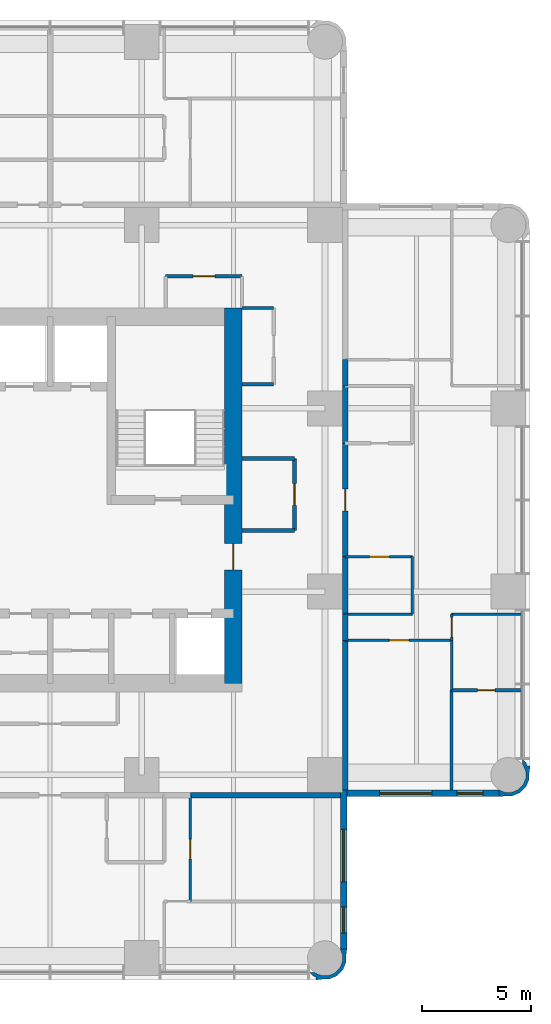
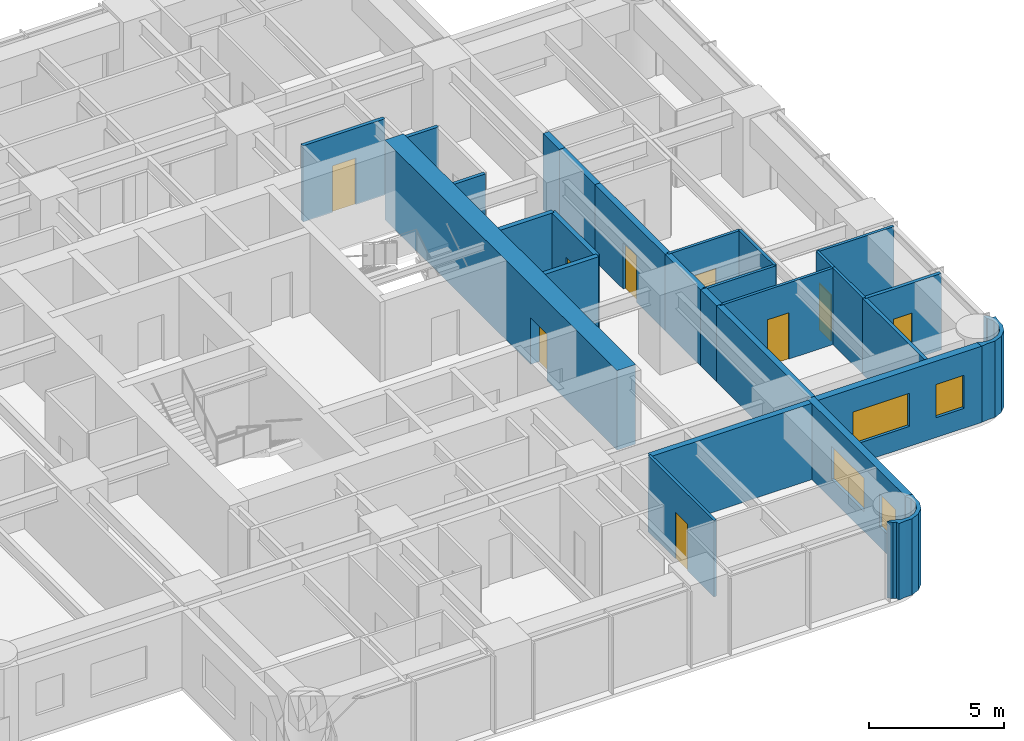
# One storey, part 6 of 9: 28 walls, 9 doors, 4 windows, 13 openings.
"""IFC4 building model written with IfcOpenShell, lengths in metres."""

from ifc_helpers import new_model, si_unit, direction, frame, frame_2d, origin, place, context, subcontext, project, spatial, polyline, rectangle, outline, extrude, material, layer, layer_set, type_object, element, fill, save


model = new_model("IFC4")

# Units and contexts
model_context = context("Model", 3, precision=1e-05, world=origin(), true_north=direction((0.0, 1.0)))
body_context = subcontext(model_context, "Body", "Model", "MODEL_VIEW")
ifc_project = project(units=[si_unit("LENGTHUNIT", "METRE"), si_unit("AREAUNIT", "SQUARE_METRE"), si_unit("VOLUMEUNIT", "CUBIC_METRE"), si_unit("PLANEANGLEUNIT", "RADIAN"), si_unit("MASSUNIT", "GRAM", prefix="KILO")], contexts=[model_context])

# Site, building, storey
site_placement = place(None, origin())
site = spatial("IfcSite", under=ifc_project, at=site_placement, CompositionType="ELEMENT")
building_placement = place(site_placement, origin())
building = spatial("IfcBuilding", under=site, at=building_placement, Name="Torre Alcanfor", CompositionType="ELEMENT")
storey_placement = place(building_placement, frame((0.0, 0.0, 254.10009765625)))
storey = spatial("IfcBuildingStorey", under=building, at=storey_placement, Name="L66", CompositionType="ELEMENT", Elevation=254.10009765625)

# Wall, opening, door
ifc_material_1 = material(Name="Concrete block masonry, hollow blocks NMX-C-404 9 MPa", Category="masonry")
ifc_layer_1 = layer(ifc_material_1, 0.25)
ifc_layer_set_1 = layer_set([ifc_layer_1], Name="Apartment entrance wall 250 EI 60")
wall_type_1 = type_object("IfcWallType", Name="Apartment entrance wall 250 EI 60", PredefinedType="PARTITIONING", material=ifc_layer_set_1)
wall_1_placement = place(storey_placement, frame((42.925048828125, 32.0, 0.0), z_axis=(0.0, 0.0, 1.0), x_axis=(0.0, -1.0, 0.0)))
wall_1 = element("IfcWall", 1, at=wall_1_placement, inside=storey, type_object=wall_type_1, Name="Partition L66-CORR / L66-EX-ZAG", PredefinedType="PARTITIONING", context=body_context, shape_type="SweptSolid", body=[
    extrude(rectangle(XDim=5.199951171875, YDim=0.25, at=frame_2d((2.60009765625, 0.0))), origin(), (0.0, 0.0, 1.0), 3.449951171875),
])
opening_1_placement = place(wall_1_placement, frame((2.10009765625, 0.0, 0.0)))
opening_1 = element("IfcOpeningElement", 2, at=opening_1_placement, cuts=wall_1, Name="Opening D-A1", PredefinedType="OPENING", context=body_context, shape_type="SweptSolid", body=[
    extrude(rectangle(XDim=1.0, YDim=2.10009765625, at=frame_2d((0.5, 1.050048828125))), frame((0.0, 0.135009765625, 0.0), z_axis=(0.0, -1.0, 0.0), x_axis=(1.0, 0.0, 0.0)), (0.0, 0.0, 1.0), 0.27001953125),
])
ifc_material_2 = material(Name="Galvanised steel sheet ASTM A653", Category="steel")
door_type_1 = type_object("IfcDoorType", Name="Apartment entrance door FD60 1000x2100", OperationType="SINGLE_SWING_LEFT", PredefinedType="DOOR", material=ifc_material_2)
door_1_placement = place(opening_1_placement, origin())
door_1 = element("IfcDoor", 3, at=door_1_placement, inside=storey, type_object=door_type_1, Name="Apartment entrance L66-EX", OperationType="SINGLE_SWING_LEFT", OverallHeight=2.10009765625, OverallWidth=1.0, PredefinedType="DOOR", context=body_context, shape_type="SweptSolid", body=[
    extrude(rectangle(XDim=1.0, YDim=2.10009765625, at=frame_2d((0.5, 1.050048828125))), frame((0.0, 0.02490234375, 0.0), z_axis=(0.0, -1.0, 0.0), x_axis=(1.0, 0.0, 0.0)), (0.0, 0.0, 1.0), 0.050048828125),
])
fill(opening_1, door_1)

# Walls
wall_2_placement = place(storey_placement, frame((42.925048828125, 34.62890625, 0.0), z_axis=(0.0, 0.0, 1.0), x_axis=(0.0, -1.0, 0.0)))
element("IfcWall", 4, at=wall_2_placement, inside=storey, type_object=wall_type_1, Name="Partition L66-CORR / L66-EX-BATH2", PredefinedType="PARTITIONING", context=body_context, shape_type="SweptSolid", body=[
    extrude(rectangle(XDim=2.62890625, YDim=0.25, at=frame_2d((1.314453125, 0.0))), origin(), (0.0, 0.0, 1.0), 3.449951171875),
])
wall_3_placement = place(storey_placement, frame((42.925048828125, 26.800048828125, 0.0), z_axis=(0.0, 0.0, 1.0), x_axis=(0.0, -1.0, 0.0)))
element("IfcWall", 5, at=wall_3_placement, inside=storey, type_object=wall_type_1, Name="Partition L66-CORR / L66-EX-KITCHEN", PredefinedType="PARTITIONING", context=body_context, shape_type="SweptSolid", body=[
    extrude(rectangle(XDim=2.629150390625, YDim=0.25, at=frame_2d((1.314453125, 0.0))), origin(), (0.0, 0.0, 1.0), 3.449951171875),
])
wall_4_placement = place(storey_placement, frame((42.925048828125, 24.1708984375, 0.0), z_axis=(0.0, 0.0, 1.0), x_axis=(0.0, -1.0, 0.0)))
element("IfcWall", 6, at=wall_4_placement, inside=storey, type_object=wall_type_1, Name="Partition L66-CORR / L66-EX-LIVING", PredefinedType="PARTITIONING", context=body_context, shape_type="SweptSolid", body=[
    extrude(rectangle(XDim=1.199951171875, YDim=0.25, at=frame_2d((0.60009765625, 0.0))), origin(), (0.0, 0.0, 1.0), 3.449951171875),
])
wall_5_placement = place(storey_placement, frame((42.925048828125, 35.8291015625, 0.0), z_axis=(0.0, 0.0, 1.0), x_axis=(0.0, -1.0, 0.0)))
element("IfcWall", 7, at=wall_5_placement, inside=storey, type_object=wall_type_1, Name="Partition L66-CORR / L66-EX-LIVING", PredefinedType="PARTITIONING", context=body_context, shape_type="SweptSolid", body=[
    extrude(rectangle(XDim=1.2001953125, YDim=0.25, at=frame_2d((0.60009765625, 0.0))), origin(), (0.0, 0.0, 1.0), 3.449951171875),
])
for number, where, z_axis, x_axis, name in (
    (8, (42.925048828125, 22.970947265625, 0.0), (0.0, 0.0, 1.0), (0.0, -1.0, 0.0), "Partition L66-CORR / L66-EX-BED3"),
    (9, (42.699951171875, 15.875, 0.0), (0.0, 0.0, 1.0), (-1.0, 0.0, 0.0), "Partition L66-CORR / L66-SX-BED2"),
):
    element("IfcWall", number, at=place(storey_placement, frame(where, z_axis=z_axis, x_axis=x_axis)), inside=storey, type_object=wall_type_1, Name=name, PredefinedType="PARTITIONING", context=body_context, shape_type="SweptSolid", body=[
        extrude(rectangle(XDim=6.870849609375, YDim=0.25, at=frame_2d((3.435546875, 0.0))), origin(), (0.0, 0.0, 1.0), 3.449951171875),
    ])

# Wall, opening, door
ifc_material_3 = material(Name="Gypsum board on steel studs", Category="steel")
ifc_layer_2 = layer(ifc_material_3, 0.1201171875)
ifc_layer_set_2 = layer_set([ifc_layer_2], Name="Apartment partition 120")
wall_type_2 = type_object("IfcWallType", Name="Apartment partition 120", PredefinedType="PARTITIONING", material=ifc_layer_set_2)
wall_6_placement = place(storey_placement, frame((42.925048828125, 26.800048828125, 0.0), z_axis=(0.0, 0.0, 1.0), x_axis=(1.0, 0.0, 0.0)))
wall_6 = element("IfcWall", 10, at=wall_6_placement, inside=storey, type_object=wall_type_2, Name="Partition L66-EX-ZAG / L66-EX-KITCHEN", PredefinedType="PARTITIONING", context=body_context, shape_type="SweptSolid", body=[
    extrude(rectangle(XDim=3.074951171875, YDim=0.1201171875, at=frame_2d((1.53759765625, 0.0))), origin(), (0.0, 0.0, 1.0), 3.449951171875),
])
opening_2_placement = place(wall_6_placement, frame((1.125, 0.0, 0.0)))
opening_2 = element("IfcOpeningElement", 11, at=opening_2_placement, cuts=wall_6, Name="Opening D-R1", PredefinedType="OPENING", context=body_context, shape_type="SweptSolid", body=[
    extrude(rectangle(XDim=0.89990234375, YDim=2.10009765625, at=frame_2d((0.449951171875, 1.050048828125))), frame((0.0, 0.070068359375, 0.0), z_axis=(0.0, -1.0, 0.0), x_axis=(1.0, 0.0, 0.0)), (0.0, 0.0, 1.0), 0.14013671875),
])
ifc_material_4 = material(Name="Timber", Category="wood")
door_type_2 = type_object("IfcDoorType", Name="Internal door 900x2100", OperationType="SINGLE_SWING_LEFT", PredefinedType="DOOR", material=ifc_material_4)
door_2_placement = place(opening_2_placement, frame((0.89990234375, 0.0, 0.0), z_axis=(0.0, 0.0, 1.0), x_axis=(-1.0, 0.0, 0.0)))
door_2 = element("IfcDoor", 12, at=door_2_placement, inside=storey, type_object=door_type_2, Name="Door L66-EX kitchen", OperationType="SINGLE_SWING_LEFT", OverallHeight=2.10009765625, OverallWidth=0.89990234375, PredefinedType="DOOR", context=body_context, shape_type="SweptSolid", body=[
    extrude(rectangle(XDim=0.89990234375, YDim=2.10009765625, at=frame_2d((0.449951171875, 1.050048828125))), frame((0.0, 0.025146484375, 0.0), z_axis=(0.0, -1.0, 0.0), x_axis=(1.0, 0.0, 0.0)), (0.0, 0.0, 1.0), 0.050048828125),
])
fill(opening_2, door_2)

# Walls
wall_7_placement = place(storey_placement, frame((42.925048828125, 24.1708984375, 0.0), z_axis=(0.0, 0.0, 1.0), x_axis=(1.0, 0.0, 0.0)))
element("IfcWall", 13, at=wall_7_placement, inside=storey, type_object=wall_type_2, Name="Partition L66-EX-KITCHEN / L66-EX-LIVING", PredefinedType="PARTITIONING", context=body_context, shape_type="SweptSolid", body=[
    extrude(rectangle(XDim=3.074951171875, YDim=0.1201171875, at=frame_2d((1.53759765625, 0.0))), origin(), (0.0, 0.0, 1.0), 3.449951171875),
])
wall_8_placement = place(storey_placement, frame((46.0, 24.1708984375, 0.0), z_axis=(0.0, 0.0, 1.0), x_axis=(0.0, 1.0, 0.0)))
element("IfcWall", 14, at=wall_8_placement, inside=storey, type_object=wall_type_2, Name="Partition L66-EX-KITCHEN / L66-EX-LIVING", PredefinedType="PARTITIONING", context=body_context, shape_type="SweptSolid", body=[
    extrude(rectangle(XDim=2.629150390625, YDim=0.1201171875, at=frame_2d((1.314453125, 0.0))), origin(), (0.0, 0.0, 1.0), 3.449951171875),
])

# Wall, opening, door
wall_9_placement = place(storey_placement, frame((47.800048828125, 22.970947265625, 0.0), z_axis=(0.0, 0.0, 1.0), x_axis=(-1.0, 0.0, 0.0)))
wall_9 = element("IfcWall", 15, at=wall_9_placement, inside=storey, type_object=wall_type_2, Name="Partition L66-EX-LIVING / L66-EX-BED3", PredefinedType="PARTITIONING", context=body_context, shape_type="SweptSolid", body=[
    extrude(rectangle(XDim=4.875, YDim=0.1201171875, at=frame_2d((2.4375, 0.0))), origin(), (0.0, 0.0, 1.0), 3.449951171875),
])
opening_3_placement = place(wall_9_placement, frame((1.949951171875, 0.0, 0.0)))
opening_3 = element("IfcOpeningElement", 16, at=opening_3_placement, cuts=wall_9, Name="Opening D-R1", PredefinedType="OPENING", context=body_context, shape_type="SweptSolid", body=[
    extrude(rectangle(XDim=0.89990234375, YDim=2.10009765625, at=frame_2d((0.449951171875, 1.050048828125))), frame((0.0, 0.070068359375, 0.0), z_axis=(0.0, -1.0, 0.0), x_axis=(1.0, 0.0, 0.0)), (0.0, 0.0, 1.0), 0.14013671875),
])
door_3_placement = place(opening_3_placement, origin())
door_3 = element("IfcDoor", 17, at=door_3_placement, inside=storey, type_object=door_type_2, Name="Door L66-EX bed3", OperationType="SINGLE_SWING_LEFT", OverallHeight=2.10009765625, OverallWidth=0.89990234375, PredefinedType="DOOR", context=body_context, shape_type="SweptSolid", body=[
    extrude(rectangle(XDim=0.89990234375, YDim=2.10009765625, at=frame_2d((0.449951171875, 1.050048828125))), frame((0.0, 0.02490234375, 0.0), z_axis=(0.0, -1.0, 0.0), x_axis=(1.0, 0.0, 0.0)), (0.0, 0.0, 1.0), 0.050048828125),
])
fill(opening_3, door_3)

# Wall
wall_10_placement = place(storey_placement, frame((51.050048828125, 24.1708984375, 0.0), z_axis=(0.0, 0.0, 1.0), x_axis=(-1.0, 0.0, 0.0)))
element("IfcWall", 18, at=wall_10_placement, inside=storey, type_object=wall_type_2, Name="Partition L66-EX-LIVING / L66-EX-BED1", PredefinedType="PARTITIONING", context=body_context, shape_type="SweptSolid", body=[
    extrude(rectangle(XDim=3.25, YDim=0.1201171875, at=frame_2d((1.625, 0.0))), origin(), (0.0, 0.0, 1.0), 3.449951171875),
])

# Wall, opening, door
wall_11_placement = place(storey_placement, frame((47.800048828125, 24.1708984375, 0.0), z_axis=(0.0, 0.0, 1.0), x_axis=(0.0, -1.0, 0.0)))
wall_11 = element("IfcWall", 19, at=wall_11_placement, inside=storey, type_object=wall_type_2, Name="Partition L66-EX-LIVING / L66-EX-BED1", PredefinedType="PARTITIONING", context=body_context, shape_type="SweptSolid", body=[
    extrude(rectangle(XDim=1.199951171875, YDim=0.1201171875, at=frame_2d((0.60009765625, 0.0))), origin(), (0.0, 0.0, 1.0), 3.449951171875),
])
opening_4_placement = place(wall_11_placement, frame((0.15087890625, 0.0, 0.0)))
opening_4 = element("IfcOpeningElement", 20, at=opening_4_placement, cuts=wall_11, Name="Opening D-R1", PredefinedType="OPENING", context=body_context, shape_type="SweptSolid", body=[
    extrude(rectangle(XDim=0.89990234375, YDim=2.10009765625, at=frame_2d((0.449951171875, 1.050048828125))), frame((0.0, 0.070068359375, 0.0), z_axis=(0.0, -1.0, 0.0), x_axis=(1.0, 0.0, 0.0)), (0.0, 0.0, 1.0), 0.14013671875),
])
door_4_placement = place(opening_4_placement, origin())
door_4 = element("IfcDoor", 21, at=door_4_placement, inside=storey, type_object=door_type_2, Name="Door L66-EX bed1", OperationType="SINGLE_SWING_LEFT", OverallHeight=2.10009765625, OverallWidth=0.89990234375, PredefinedType="DOOR", context=body_context, shape_type="SweptSolid", body=[
    extrude(rectangle(XDim=0.89990234375, YDim=2.10009765625, at=frame_2d((0.449951171875, 1.050048828125))), frame((0.0, 0.02490234375, 0.0), z_axis=(0.0, -1.0, 0.0), x_axis=(1.0, 0.0, 0.0)), (0.0, 0.0, 1.0), 0.050048828125),
])
fill(opening_4, door_4)

# Wall
wall_12_placement = place(storey_placement, frame((47.800048828125, 20.68603515625, 0.0), z_axis=(0.0, 0.0, 1.0), x_axis=(0.0, 1.0, 0.0)))
element("IfcWall", 22, at=wall_12_placement, inside=storey, type_object=wall_type_2, Name="Partition L66-EX-BED3 / L66-EX-BED1", PredefinedType="PARTITIONING", context=body_context, shape_type="SweptSolid", body=[
    extrude(rectangle(XDim=2.284912109375, YDim=0.1201171875, at=frame_2d((1.142578125, 0.0))), origin(), (0.0, 0.0, 1.0), 3.449951171875),
])

# Wall, opening, door
wall_13_placement = place(storey_placement, frame((35.8291015625, 15.875, 0.0), z_axis=(0.0, 0.0, 1.0), x_axis=(0.0, -1.0, 0.0)))
wall_13 = element("IfcWall", 23, at=wall_13_placement, inside=storey, type_object=wall_type_2, Name="Partition L66-SX-LIVING / L66-SX-BED2", PredefinedType="PARTITIONING", context=body_context, shape_type="SweptSolid", body=[
    extrude(rectangle(XDim=4.875, YDim=0.1201171875, at=frame_2d((2.4375, 0.0))), origin(), (0.0, 0.0, 1.0), 3.449951171875),
])
opening_5_placement = place(wall_13_placement, frame((2.02490234375, 0.0, 0.0)))
opening_5 = element("IfcOpeningElement", 24, at=opening_5_placement, cuts=wall_13, Name="Opening D-R1", PredefinedType="OPENING", context=body_context, shape_type="SweptSolid", body=[
    extrude(rectangle(XDim=0.89990234375, YDim=2.10009765625, at=frame_2d((0.449951171875, 1.050048828125))), frame((0.0, 0.070068359375, 0.0), z_axis=(0.0, -1.0, 0.0), x_axis=(1.0, 0.0, 0.0)), (0.0, 0.0, 1.0), 0.14013671875),
])
door_5_placement = place(opening_5_placement, origin())
door_5 = element("IfcDoor", 25, at=door_5_placement, inside=storey, type_object=door_type_2, Name="Door L66-SX bed2", OperationType="SINGLE_SWING_RIGHT", OverallHeight=2.10009765625, OverallWidth=0.89990234375, PredefinedType="DOOR", context=body_context, shape_type="SweptSolid", body=[
    extrude(rectangle(XDim=0.89990234375, YDim=2.10009765625, at=frame_2d((0.449951171875, 1.050048828125))), frame((0.0, 0.02490234375, 0.0), z_axis=(0.0, -1.0, 0.0), x_axis=(1.0, 0.0, 0.0)), (0.0, 0.0, 1.0), 0.050048828125),
])
fill(opening_5, door_5)

ifc_material_5 = material(Name="Concrete f'c 70 MPa", Category="concrete")
ifc_layer_3 = layer(ifc_material_5, 0.800048828125)
ifc_layer_set_3 = layer_set([ifc_layer_3], Name="Core wall 800 f'c70")
wall_type_3 = type_object("IfcWallType", Name="Core wall 800 f'c70", PredefinedType="SHEAR", material=ifc_layer_set_3)
wall_14_placement = place(storey_placement, frame((37.800048828125, 21.0, 0.0), z_axis=(0.0, 0.0, 1.0), x_axis=(0.0, 1.0, 0.0)))
wall_14 = element("IfcWall", 26, at=wall_14_placement, inside=storey, type_object=wall_type_3, Name="Core wall OUT-E L66", PredefinedType="SHEAR", context=body_context, shape_type="SweptSolid", body=[
    extrude(rectangle(XDim=17.199951171875, YDim=0.800048828125, at=frame_2d((8.60009765625, 0.0))), origin(), (0.0, 0.0, 1.0), 3.599853515625),
])
opening_6_placement = place(wall_14_placement, frame((5.199951171875, 0.0, 0.0)))
opening_6 = element("IfcOpeningElement", 27, at=opening_6_placement, cuts=wall_14, Name="Opening D-L1", PredefinedType="OPENING", context=body_context, shape_type="SweptSolid", body=[
    extrude(rectangle(XDim=1.199951171875, YDim=2.10009765625, at=frame_2d((0.60009765625, 1.050048828125))), frame((0.0, 0.409912109375, 0.0), z_axis=(0.0, -1.0, 0.0), x_axis=(1.0, 0.0, 0.0)), (0.0, 0.0, 1.0), 0.820068359375),
])
ifc_material_6 = material(Name="Galvanised steel sheet ASTM A653", Category="steel")
door_type_3 = type_object("IfcDoorType", Name="Lobby door FD120 1200x2100", OperationType="SINGLE_SWING_LEFT", PredefinedType="DOOR", material=ifc_material_6)
door_6_placement = place(opening_6_placement, origin())
door_6 = element("IfcDoor", 28, at=door_6_placement, inside=storey, type_object=door_type_3, Name="Lift lobby entrance door L66", OperationType="SINGLE_SWING_LEFT", OverallHeight=2.10009765625, OverallWidth=1.199951171875, PredefinedType="DOOR", context=body_context, shape_type="SweptSolid", body=[
    extrude(rectangle(XDim=1.199951171875, YDim=2.10009765625, at=frame_2d((0.60009765625, 1.050048828125))), frame((0.0, 0.02490234375, 0.0), z_axis=(0.0, -1.0, 0.0), x_axis=(1.0, 0.0, 0.0)), (0.0, 0.0, 1.0), 0.050048828125),
])
fill(opening_6, door_6)

# Wall, openings, windows
ifc_material_7 = material(Name="Limestone cladding", Category="masonry")
ifc_layer_4 = layer(ifc_material_7, 0.0400390625, Name="Facing")
ifc_material_8 = material(Name="Ventilated air cavity")
ifc_layer_5 = layer(ifc_material_8, 0.02001953125, ventilated=True, Name="Ventilated joint")
ifc_material_9 = material(Name="Mineral wool insulation", Category="insulation")
ifc_layer_6 = layer(ifc_material_9, 0.10009765625, Name="Insulation")
ifc_material_10 = material(Name="Concrete f'c 35 MPa", Category="concrete")
ifc_layer_7 = layer(ifc_material_10, 0.139892578125, Name="Backing")
ifc_layer_set_4 = layer_set([ifc_layer_4, ifc_layer_5, ifc_layer_6, ifc_layer_7], Name="External wall stone-clad 300")
wall_type_4 = type_object("IfcWallType", Name="External wall stone-clad 300", PredefinedType="SOLIDWALL", material=ifc_layer_set_4)
wall_15_placement = place(storey_placement, frame((42.85009765625, 8.800048828125, 0.0), z_axis=(0.0, 0.0, 1.0), x_axis=(0.0, 1.0, 0.0)))
wall_15 = element("IfcWall", 29, at=wall_15_placement, inside=storey, type_object=wall_type_4, Name="External wall L66 6", PredefinedType="SOLIDWALL", context=body_context, shape_type="SweptSolid", body=[
    extrude(rectangle(XDim=7.300048828125, YDim=0.300048828125, at=frame_2d((3.64990234375, 0.0))), origin(), (0.0, 0.0, 1.0), 3.449951171875),
])
opening_7_placement = place(wall_15_placement, frame((3.10009765625, 0.0, 0.89990234375)))
opening_7 = element("IfcOpeningElement", 30, at=opening_7_placement, cuts=wall_15, Name="Opening W1", PredefinedType="OPENING", context=body_context, shape_type="SweptSolid", body=[
    extrude(rectangle(XDim=2.39990234375, YDim=1.5, at=frame_2d((1.199951171875, 0.75))), frame((0.0, 0.159912109375, 0.0), z_axis=(0.0, -1.0, 0.0), x_axis=(1.0, 0.0, 0.0)), (0.0, 0.0, 1.0), 0.320068359375),
])
opening_8_placement = place(wall_15_placement, frame((0.75, 0.0, 0.89990234375)))
opening_8 = element("IfcOpeningElement", 31, at=opening_8_placement, cuts=wall_15, Name="Opening W4", PredefinedType="OPENING", context=body_context, shape_type="SweptSolid", body=[
    extrude(rectangle(XDim=1.199951171875, YDim=1.5, at=frame_2d((0.60009765625, 0.75))), frame((0.0, 0.159912109375, 0.0), z_axis=(0.0, -1.0, 0.0), x_axis=(1.0, 0.0, 0.0)), (0.0, 0.0, 1.0), 0.320068359375),
])
ifc_material_11 = material(Name="Aluminium frame with clear double glazing", Category="aluminium")
window_type_1 = type_object("IfcWindowType", Name="Window bedroom 1200x1500", PartitioningType="SINGLE_PANEL", PredefinedType="WINDOW", material=ifc_material_11)
window_1_placement = place(opening_8_placement, origin())
window_1 = element("IfcWindow", 32, at=window_1_placement, inside=storey, type_object=window_type_1, Name="Window W4 L66-S1", OverallHeight=1.5, OverallWidth=1.199951171875, PartitioningType="SINGLE_PANEL", PredefinedType="WINDOW", context=body_context, shape_type="SweptSolid", body=[
    extrude(rectangle(XDim=1.199951171875, YDim=1.5, at=frame_2d((0.60009765625, 0.75))), frame((0.0, 0.030029296875, 0.0), z_axis=(0.0, -1.0, 0.0), x_axis=(1.0, 0.0, 0.0)), (0.0, 0.0, 1.0), 0.06005859375),
])
fill(opening_8, window_1)
ifc_material_12 = material(Name="Aluminium frame with clear double glazing", Category="aluminium")
window_type_2 = type_object("IfcWindowType", Name="Window bedroom 2400x1500", PartitioningType="SINGLE_PANEL", PredefinedType="WINDOW", material=ifc_material_12)
window_2_placement = place(opening_7_placement, origin())
window_2 = element("IfcWindow", 33, at=window_2_placement, inside=storey, type_object=window_type_2, Name="Window W1 L66-S1", OverallHeight=1.5, OverallWidth=2.39990234375, PartitioningType="SINGLE_PANEL", PredefinedType="WINDOW", context=body_context, shape_type="SweptSolid", body=[
    extrude(rectangle(XDim=2.39990234375, YDim=1.5, at=frame_2d((1.199951171875, 0.75))), frame((0.0, 0.030029296875, 0.0), z_axis=(0.0, -1.0, 0.0), x_axis=(1.0, 0.0, 0.0)), (0.0, 0.0, 1.0), 0.06005859375),
])
fill(opening_7, window_2)

wall_16_placement = place(storey_placement, frame((43.0, 15.949951171875, 0.0), z_axis=(0.0, 0.0, 1.0), x_axis=(1.0, 0.0, 0.0)))
wall_16 = element("IfcWall", 34, at=wall_16_placement, inside=storey, type_object=wall_type_4, Name="External wall L66 7", PredefinedType="SOLIDWALL", context=body_context, shape_type="SweptSolid", body=[
    extrude(rectangle(XDim=7.0, YDim=0.300048828125, at=frame_2d((3.5, 0.0))), origin(), (0.0, 0.0, 1.0), 3.449951171875),
])
opening_9_placement = place(wall_16_placement, frame((1.5, 0.0, 0.89990234375)))
opening_9 = element("IfcOpeningElement", 35, at=opening_9_placement, cuts=wall_16, Name="Opening W1", PredefinedType="OPENING", context=body_context, shape_type="SweptSolid", body=[
    extrude(rectangle(XDim=2.39990234375, YDim=1.5, at=frame_2d((1.199951171875, 0.75))), frame((0.0, 0.159912109375, 0.0), z_axis=(0.0, -1.0, 0.0), x_axis=(1.0, 0.0, 0.0)), (0.0, 0.0, 1.0), 0.320068359375),
])
opening_10_placement = place(wall_16_placement, frame((5.050048828125, 0.0, 0.89990234375)))
opening_10 = element("IfcOpeningElement", 36, at=opening_10_placement, cuts=wall_16, Name="Opening W4", PredefinedType="OPENING", context=body_context, shape_type="SweptSolid", body=[
    extrude(rectangle(XDim=1.199951171875, YDim=1.5, at=frame_2d((0.60009765625, 0.75))), frame((0.0, 0.159912109375, 0.0), z_axis=(0.0, -1.0, 0.0), x_axis=(1.0, 0.0, 0.0)), (0.0, 0.0, 1.0), 0.320068359375),
])
window_3_placement = place(opening_10_placement, origin())
window_3 = element("IfcWindow", 37, at=window_3_placement, inside=storey, type_object=window_type_1, Name="Window W4 L66-E2", OverallHeight=1.5, OverallWidth=1.199951171875, PartitioningType="SINGLE_PANEL", PredefinedType="WINDOW", context=body_context, shape_type="SweptSolid", body=[
    extrude(rectangle(XDim=1.199951171875, YDim=1.5, at=frame_2d((0.60009765625, 0.75))), frame((0.0, 0.030029296875, 0.0), z_axis=(0.0, -1.0, 0.0), x_axis=(1.0, 0.0, 0.0)), (0.0, 0.0, 1.0), 0.06005859375),
])
fill(opening_10, window_3)
window_4_placement = place(opening_9_placement, origin())
window_4 = element("IfcWindow", 38, at=window_4_placement, inside=storey, type_object=window_type_2, Name="Window W1 L66-E2", OverallHeight=1.5, OverallWidth=2.39990234375, PartitioningType="SINGLE_PANEL", PredefinedType="WINDOW", context=body_context, shape_type="SweptSolid", body=[
    extrude(rectangle(XDim=2.39990234375, YDim=1.5, at=frame_2d((1.199951171875, 0.75))), frame((0.0, 0.030029296875, 0.0), z_axis=(0.0, -1.0, 0.0), x_axis=(1.0, 0.0, 0.0)), (0.0, 0.0, 1.0), 0.06005859375),
])
fill(opening_9, window_4)

# Wall
ifc_material_13 = material(Name="Concrete block masonry, hollow blocks NMX-C-404 9 MPa", Category="masonry")
ifc_layer_8 = layer(ifc_material_13, 0.199951171875)
ifc_layer_set_5 = layer_set([ifc_layer_8], Name="Plant room wall 200 EI 60")
wall_type_5 = type_object("IfcWallType", Name="Plant room wall 200 EI 60", PredefinedType="PARTITIONING", material=ifc_layer_set_5)
wall_17_placement = place(storey_placement, frame((38.199951171875, 28.0, 0.0), z_axis=(0.0, 0.0, 1.0), x_axis=(1.0, 0.0, 0.0)))
element("IfcWall", 39, at=wall_17_placement, inside=storey, type_object=wall_type_5, Name="Partition L66-CORR / L66-G03", PredefinedType="PARTITIONING", context=body_context, shape_type="SweptSolid", body=[
    extrude(rectangle(XDim=2.400146484375, YDim=0.199951171875, at=frame_2d((1.2001953125, 0.0))), origin(), (0.0, 0.0, 1.0), 3.449951171875),
])

# Wall, opening, door
wall_18_placement = place(storey_placement, frame((40.60009765625, 28.0, 0.0), z_axis=(0.0, 0.0, 1.0), x_axis=(0.0, 1.0, 0.0)))
wall_18 = element("IfcWall", 40, at=wall_18_placement, inside=storey, type_object=wall_type_5, Name="Partition L66-CORR / L66-G03", PredefinedType="PARTITIONING", context=body_context, shape_type="SweptSolid", body=[
    extrude(rectangle(XDim=3.300048828125, YDim=0.199951171875, at=frame_2d((1.64990234375, 0.0))), origin(), (0.0, 0.0, 1.0), 3.449951171875),
])
opening_11_placement = place(wall_18_placement, frame((1.14990234375, 0.0, 0.0)))
opening_11 = element("IfcOpeningElement", 41, at=opening_11_placement, cuts=wall_18, Name="Opening D-K1", PredefinedType="OPENING", context=body_context, shape_type="SweptSolid", body=[
    extrude(rectangle(XDim=1.0, YDim=2.10009765625, at=frame_2d((0.5, 1.050048828125))), frame((0.0, 0.10986328125, 0.0), z_axis=(0.0, -1.0, 0.0), x_axis=(1.0, 0.0, 0.0)), (0.0, 0.0, 1.0), 0.219970703125),
])
ifc_material_14 = material(Name="Galvanised steel sheet ASTM A653", Category="steel")
door_type_4 = type_object("IfcDoorType", Name="Core room door FD60 1000x2100", OperationType="SINGLE_SWING_LEFT", PredefinedType="DOOR", material=ifc_material_14)
door_7_placement = place(opening_11_placement, origin())
door_7 = element("IfcDoor", 42, at=door_7_placement, inside=storey, type_object=door_type_4, Name="Door L66-G03 refuse and recycling store", OperationType="SINGLE_SWING_LEFT", OverallHeight=2.10009765625, OverallWidth=1.0, PredefinedType="DOOR", context=body_context, shape_type="SweptSolid", body=[
    extrude(rectangle(XDim=1.0, YDim=2.10009765625, at=frame_2d((0.5, 1.050048828125))), frame((0.0, 0.02490234375, 0.0), z_axis=(0.0, -1.0, 0.0), x_axis=(1.0, 0.0, 0.0)), (0.0, 0.0, 1.0), 0.050048828125),
])
fill(opening_11, door_7)

# Wall
wall_19_placement = place(storey_placement, frame((40.60009765625, 31.300048828125, 0.0), z_axis=(0.0, 0.0, 1.0), x_axis=(-1.0, 0.0, 0.0)))
element("IfcWall", 43, at=wall_19_placement, inside=storey, type_object=wall_type_5, Name="Partition L66-CORR / L66-G03", PredefinedType="PARTITIONING", context=body_context, shape_type="SweptSolid", body=[
    extrude(rectangle(XDim=2.400146484375, YDim=0.199951171875, at=frame_2d((1.2001953125, 0.0))), origin(), (0.0, 0.0, 1.0), 3.449951171875),
])

# Wall, opening, door
ifc_material_15 = material(Name="Concrete block masonry, hollow blocks NMX-C-404 9 MPa", Category="masonry")
ifc_layer_9 = layer(ifc_material_15, 0.14990234375)
ifc_layer_set_6 = layer_set([ifc_layer_9], Name="Residents' room partition 150")
wall_type_6 = type_object("IfcWallType", Name="Residents' room partition 150", PredefinedType="PARTITIONING", material=ifc_layer_set_6)
wall_20_placement = place(storey_placement, frame((38.199951171875, 39.64990234375, 0.0), z_axis=(0.0, 0.0, 1.0), x_axis=(-1.0, 0.0, 0.0)))
wall_20 = element("IfcWall", 44, at=wall_20_placement, inside=storey, type_object=wall_type_6, Name="Partition L66-CORR / L66-G02", PredefinedType="PARTITIONING", context=body_context, shape_type="SweptSolid", body=[
    extrude(rectangle(XDim=3.5, YDim=0.14990234375, at=frame_2d((1.75, 0.0))), origin(), (0.0, 0.0, 1.0), 3.449951171875),
])
opening_12_placement = place(wall_20_placement, frame((1.25, 0.0, 0.0)))
opening_12 = element("IfcOpeningElement", 45, at=opening_12_placement, cuts=wall_20, Name="Opening D-M1", PredefinedType="OPENING", context=body_context, shape_type="SweptSolid", body=[
    extrude(rectangle(XDim=1.0, YDim=2.10009765625, at=frame_2d((0.5, 1.050048828125))), frame((0.0, 0.0849609375, 0.0), z_axis=(0.0, -1.0, 0.0), x_axis=(1.0, 0.0, 0.0)), (0.0, 0.0, 1.0), 0.169921875),
])
ifc_material_16 = material(Name="Timber", Category="wood")
door_type_5 = type_object("IfcDoorType", Name="Residents' room door 1000x2100", OperationType="SINGLE_SWING_LEFT", PredefinedType="DOOR", material=ifc_material_16)
door_8_placement = place(opening_12_placement, origin())
door_8 = element("IfcDoor", 46, at=door_8_placement, inside=storey, type_object=door_type_5, Name="Door L66-G02 residents' storage", OperationType="SINGLE_SWING_LEFT", OverallHeight=2.10009765625, OverallWidth=1.0, PredefinedType="DOOR", context=body_context, shape_type="SweptSolid", body=[
    extrude(rectangle(XDim=1.0, YDim=2.10009765625, at=frame_2d((0.5, 1.050048828125))), frame((0.0, 0.02490234375, 0.0), z_axis=(0.0, -1.0, 0.0), x_axis=(1.0, 0.0, 0.0)), (0.0, 0.0, 1.0), 0.050048828125),
])
fill(opening_12, door_8)

# Walls
for number, where, z_axis, x_axis, name in (
    (47, (38.199951171875, 34.699951171875, 0.0), (0.0, 0.0, 1.0), (1.0, 0.0, 0.0), "Partition L66-CORR / L66-G04"),
    (48, (39.64990234375, 38.199951171875, 0.0), (0.0, 0.0, 1.0), (-1.0, 0.0, 0.0), "Partition L66-CORR / L66-G04"),
):
    element("IfcWall", number, at=place(storey_placement, frame(where, z_axis=z_axis, x_axis=x_axis)), inside=storey, type_object=wall_type_6, Name=name, PredefinedType="PARTITIONING", context=body_context, shape_type="SweptSolid", body=[
        extrude(rectangle(XDim=1.449951171875, YDim=0.14990234375, at=frame_2d((0.72509765625, 0.0))), origin(), (0.0, 0.0, 1.0), 3.449951171875),
    ])
ifc_layer_10 = layer(ifc_material_7, 0.0400390625, Name="Facing")
ifc_layer_11 = layer(ifc_material_8, 0.02001953125, ventilated=True, Name="Ventilated joint")
ifc_layer_12 = layer(ifc_material_9, 0.10009765625, Name="Insulation")
ifc_layer_13 = layer(ifc_material_10, 0.139892578125, Name="Backing")
ifc_layer_set_7 = layer_set([ifc_layer_10, ifc_layer_11, ifc_layer_12, ifc_layer_13], Name="Rounded corner pier stone-clad 300")
wall_type_7 = type_object("IfcWallType", Name="Rounded corner pier stone-clad 300", PredefinedType="SOLIDWALL", material=ifc_layer_set_7)
wall_21_placement = place(storey_placement, frame((41.351928198, 7.804682488, 0.0), z_axis=(0.0, 0.0, 1.0), x_axis=(0.343276641956, -0.93923434088, 0.0)))
element("IfcWall", 49, at=wall_21_placement, inside=storey, type_object=wall_type_7, Name="Corner pier L66 16", PredefinedType="SOLIDWALL", context=body_context, shape_type="SweptSolid", body=[
    extrude(outline(polyline([(-0.3691376945080963, 1.8896116474277462), (-0.5092849006082865, 1.6213723434863179), (-0.4904818693699753, 1.614500106025285), (-0.47937395557818696, 1.6086207727425919), (-0.21134604487110653, 1.620093396259431), (0.08789731812884549, 1.5107242513003132), (0.3226193813038204, 1.29522875171589), (0.4568297522668325, 1.0059961170728082), (0.47018090116819644, 0.6876338955306306), (0.3608955639829935, 0.3886198377896824), (0.14540006439857034, 0.15389777461470747), (0.10805580570731482, 0.136354268630141), (0.030952653705484567, -0.07460656965335008), (0.24105149879401783, 0.023022242841209073), (0.33345144333490195, 0.12363819812835387), (0.46537419024986754, 0.09413770889727405), (0.5320249985235461, 0.39313792602006), (0.6305829406476248, 0.6628009106085226), (0.6143313238115743, 1.0443478664441104), (0.4534111053034037, 1.390650880852334), (0.17226586261802523, 1.6491069643028293), (-0.09739712197043726, 1.7476649064269079), (-0.3691376945080963, 1.8896116474277462)])), origin(), (0.0, 0.0, 1.0), 3.449951171875),
])
wall_22_placement = place(storey_placement, frame((50.073176205, 15.982940512, 0.0), z_axis=(0.0, 0.0, 1.0), x_axis=(0.93923434088, -0.343276641956, 0.0)))
element("IfcWall", 50, at=wall_22_placement, inside=storey, type_object=wall_type_7, Name="Corner pier L66 17", PredefinedType="SOLIDWALL", context=body_context, shape_type="SweptSolid", body=[
    extrude(outline(polyline([(0.82833541791, 1.598492298676388), (0.6966419762540381, 1.569075617219223), (0.604242031713154, 1.6696915725063681), (0.3941431866246209, 1.7673203850009274), (0.47133014640036613, 1.5561302414584324), (0.5085905973177065, 1.5388160407328697), (0.7240860969021297, 1.3040939775578946), (0.8334552418612476, 1.0048506145579426), (0.8201040929598838, 0.6864883930157649), (0.6858099142229566, 0.3974850636316871), (0.4510878510479817, 0.1819895640472639), (0.15184448804802966, 0.072620419088146), (-0.11618342265905075, 0.08409304260498518), (-0.12752064170984284, 0.07812990154837691), (-0.14609436768915024, 0.07134147186125925), (-0.005947161588960068, -0.19689783208016906), (0.26556410568969513, -0.055034898853245834), (0.5354563955371614, 0.043606851044747874), (0.8166854459964551, 0.3018336292362396), (0.9776056645046255, 0.6481366436444629), (0.993857281340676, 1.0296835994800508), (0.8952155314426823, 1.299575889327517), (0.82833541791, 1.598492298676388)])), origin(), (0.0, 0.0, 1.0), 3.449951171875),
])
ifc_material_17 = material(Name="Cement board on steel studs", Category="steel")
ifc_layer_14 = layer(ifc_material_17, 0.14990234375)
ifc_layer_set_8 = layer_set([ifc_layer_14], Name="Wet area partition 150")
wall_type_8 = type_object("IfcWallType", Name="Wet area partition 150", PredefinedType="PARTITIONING", material=ifc_layer_set_8)
wall_23_placement = place(storey_placement, frame((47.800048828125, 16.10009765625, 0.0), z_axis=(0.0, 0.0, 1.0), x_axis=(0.0, 1.0, 0.0)))
element("IfcWall", 51, at=wall_23_placement, inside=storey, type_object=wall_type_8, Name="Partition L66-EX-BED3 / L66-EX-BATH1", PredefinedType="PARTITIONING", context=body_context, shape_type="SweptSolid", body=[
    extrude(rectangle(XDim=4.5859375, YDim=0.14990234375, at=frame_2d((2.29296875, 0.0))), origin(), (0.0, 0.0, 1.0), 3.449951171875),
])

# Wall, opening, door
wall_24_placement = place(storey_placement, frame((51.050048828125, 20.68603515625, 0.0), z_axis=(0.0, 0.0, 1.0), x_axis=(-1.0, 0.0, 0.0)))
wall_24 = element("IfcWall", 52, at=wall_24_placement, inside=storey, type_object=wall_type_8, Name="Partition L66-EX-BATH1 / L66-EX-BED1", PredefinedType="PARTITIONING", context=body_context, shape_type="SweptSolid", body=[
    extrude(rectangle(XDim=3.25, YDim=0.14990234375, at=frame_2d((1.625, 0.0))), origin(), (0.0, 0.0, 1.0), 3.449951171875),
])
opening_13_placement = place(wall_24_placement, frame((1.25, 0.0, 0.0)))
opening_13 = element("IfcOpeningElement", 53, at=opening_13_placement, cuts=wall_24, Name="Opening D-R2", PredefinedType="OPENING", context=body_context, shape_type="SweptSolid", body=[
    extrude(rectangle(XDim=0.800048828125, YDim=2.10009765625, at=frame_2d((0.39990234375, 1.050048828125))), frame((0.0, 0.0849609375, 0.0), z_axis=(0.0, -1.0, 0.0), x_axis=(1.0, 0.0, 0.0)), (0.0, 0.0, 1.0), 0.169921875),
])
ifc_material_18 = material(Name="Timber", Category="wood")
door_type_6 = type_object("IfcDoorType", Name="Bathroom door 800x2100", OperationType="SINGLE_SWING_LEFT", PredefinedType="DOOR", material=ifc_material_18)
door_9_placement = place(opening_13_placement, frame((0.800048828125, 0.0, 0.0), z_axis=(0.0, 0.0, 1.0), x_axis=(-1.0, 0.0, 0.0)))
door_9 = element("IfcDoor", 54, at=door_9_placement, inside=storey, type_object=door_type_6, Name="Door L66-EX bath1", OperationType="SINGLE_SWING_LEFT", OverallHeight=2.10009765625, OverallWidth=0.800048828125, PredefinedType="DOOR", context=body_context, shape_type="SweptSolid", body=[
    extrude(rectangle(XDim=0.800048828125, YDim=2.10009765625, at=frame_2d((0.400146484375, 1.050048828125))), frame((0.0, 0.025146484375, 0.0), z_axis=(0.0, -1.0, 0.0), x_axis=(1.0, 0.0, 0.0)), (0.0, 0.0, 1.0), 0.050048828125),
])
fill(opening_13, door_9)

save(model, "model.ifc")
